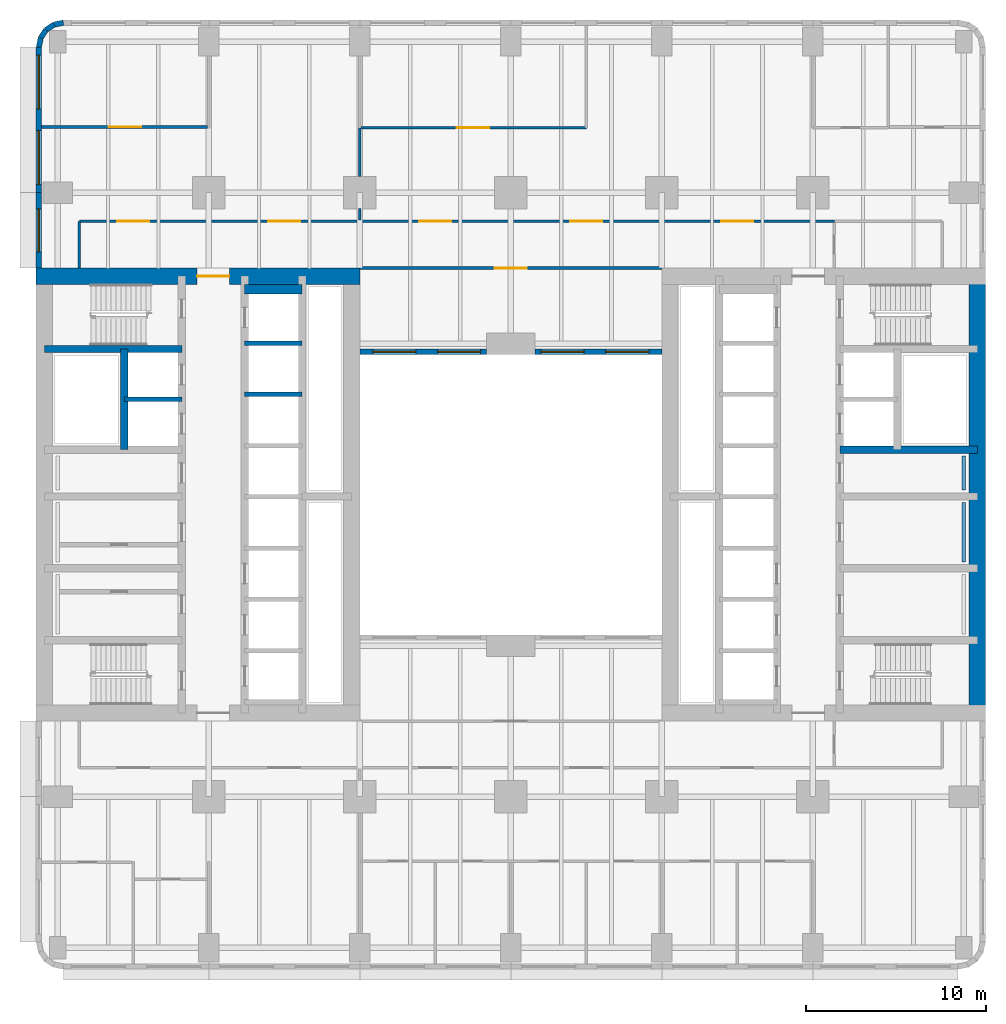
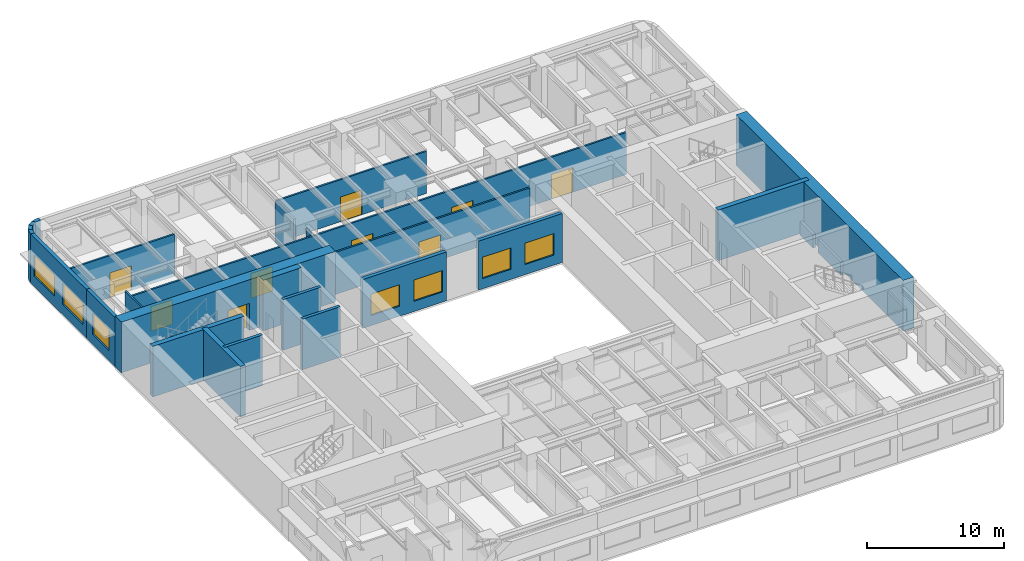
# One storey, part 6 of 12: 26 walls, 9 doors, 7 windows, 16 openings.
"""IFC4 building model written with IfcOpenShell, lengths in metres."""

import ifcopenshell
import ifcopenshell.guid

model = None  # the IFC model being written
_history = None  # IfcOwnerHistory: only IFC2X3 demands one
_inside = {}  # id of a spatial element -> (the spatial element, [elements in it])
_under = {}  # id of a project, library or spatial element -> (it, [spatial elements below it])
_declared = {}  # id of a project -> (the project, [libraries it declares])
_typed = {}  # id of a type object -> (the type object, [elements of that type])
_made_of = {}  # id of a material, layer set ... -> (it, [elements and type objects made of it])


def new_model(schema):
    """Start an empty IFC model of exactly this schema.

    Asked for "IFC4X3", IfcOpenShell would pick the latest addendum, in which some entities
    have other attributes; the version numbers below select the first issue.
    IFC2X3 requires an IfcOwnerHistory on every rooted entity: one is made here for all.
    """
    global model, _history
    if schema == "IFC4X3":
        model = ifcopenshell.file(schema_version=(4, 3, 0, 0))
    else:
        model = ifcopenshell.file(schema=schema)
    _inside.clear()
    _under.clear()
    _declared.clear()
    _typed.clear()
    _made_of.clear()
    _history = None
    if model.schema == "IFC2X3":
        org = make("IfcOrganization", Name="unknown")
        user = make(
            "IfcPersonAndOrganization",
            ThePerson=make("IfcPerson", FamilyName="unknown"),
            TheOrganization=org,
        )
        app = make(
            "IfcApplication",
            ApplicationDeveloper=org,
            Version="unknown",
            ApplicationFullName="unknown",
            ApplicationIdentifier="unknown",
        )
        _history = make(
            "IfcOwnerHistory",
            OwningUser=user,
            OwningApplication=app,
            ChangeAction="ADDED",
            CreationDate=0,
        )
    return model


def make(cls, **values):
    """One entity of the class cls with the attributes given. An attribute that is None is left unset."""
    return model.create_entity(
        cls, **{name: value for name, value in values.items() if value is not None}
    )


def rooted(cls, **values):
    """An entity with a GlobalId (a new one), such as an element, a storey or a relation."""
    return make(cls, GlobalId=ifcopenshell.guid.new(), OwnerHistory=_history, **values)


def si_unit(unit_type, name, prefix=None):
    """IfcSIUnit, for example si_unit("LENGTHUNIT", "METRE", prefix="MILLI")."""
    return make("IfcSIUnit", UnitType=unit_type, Prefix=prefix, Name=name)


def assignment(units):
    """IfcUnitAssignment: the units of a project."""
    return None if units is None else make("IfcUnitAssignment", Units=units)


def point(xyz):
    """IfcCartesianPoint."""
    return None if xyz is None else make("IfcCartesianPoint", Coordinates=xyz)


def direction(xyz):
    """IfcDirection."""
    return None if xyz is None else make("IfcDirection", DirectionRatios=xyz)


def frame(location, z_axis=None, x_axis=None):
    """IfcAxis2Placement3D, a coordinate frame: its origin and axes. An axis left out is left unset."""
    return make(
        "IfcAxis2Placement3D",
        Location=point(location),
        Axis=direction(z_axis),
        RefDirection=direction(x_axis),
    )


def frame_2d(location, x_axis=None):
    """IfcAxis2Placement2D, a coordinate frame in the plane: its origin and x axis."""
    return make(
        "IfcAxis2Placement2D", Location=point(location), RefDirection=direction(x_axis)
    )


def origin():
    """The frame at (0, 0, 0) with its axes left unset."""
    return frame((0.0, 0.0, 0.0))


def place(relative_to, where):
    """IfcLocalPlacement: puts the frame where relative to a parent placement (None: the world)."""
    return make(
        "IfcLocalPlacement", PlacementRelTo=relative_to, RelativePlacement=where
    )


def context(
    kind, dimensions, precision=None, world=None, true_north=None, identifier=None
):
    """IfcGeometricRepresentationContext, for example the 3D "Model" context."""
    return make(
        "IfcGeometricRepresentationContext",
        ContextIdentifier=identifier,
        ContextType=kind,
        CoordinateSpaceDimension=dimensions,
        Precision=precision,
        WorldCoordinateSystem=world,
        TrueNorth=true_north,
    )


def subcontext(parent, identifier, kind, view, scale=None):
    """IfcGeometricRepresentationSubContext, for example "Body" below "Model"."""
    return make(
        "IfcGeometricRepresentationSubContext",
        ContextIdentifier=identifier,
        ContextType=kind,
        ParentContext=parent,
        TargetScale=scale,
        TargetView=view,
    )


def project(units=None, contexts=None):
    """IfcProject with its units and contexts."""
    return rooted(
        "IfcProject",
        Name="project",
        RepresentationContexts=contexts,
        UnitsInContext=assignment(units),
    )


def spatial(cls, under=None, at=None, **own):
    """A site, building, storey or space (cls), placed at a placement, below another one or the project."""
    s = rooted(cls, ObjectPlacement=at, **own)
    if under is not None:
        _under.setdefault(under.id(), (under, []))[1].append(s)
    return s


def profile(cls, at=None, kind="AREA", **sizes):
    """A parametric profile (cls). Its sizes go by their IFC names, for example OverallWidth=200.0."""
    return make(cls, ProfileType=kind, Position=at, **sizes)


def rectangle(**sizes):
    """IfcRectangleProfileDef."""
    return profile("IfcRectangleProfileDef", **sizes)


def extrude(swept, where, along, depth):
    """IfcExtrudedAreaSolid: the profile swept, set in the frame where, extruded along a direction by depth."""
    return make(
        "IfcExtrudedAreaSolid",
        SweptArea=swept,
        Position=where,
        ExtrudedDirection=direction(along),
        Depth=depth,
    )


def shape(context_of_items, identifier, shape_type, items):
    """IfcShapeRepresentation: the items that make up one representation, for example the "Body"."""
    return make(
        "IfcShapeRepresentation",
        ContextOfItems=context_of_items,
        RepresentationIdentifier=identifier,
        RepresentationType=shape_type,
        Items=items,
    )


def material(Name=None, Category=None):
    """IfcMaterial."""
    return make("IfcMaterial", Name=Name, Category=Category)


def layer(
    of_material, thickness, ventilated=None, Name=None, Category=None, Priority=None
):
    """IfcMaterialLayer: one layer of a wall or slab, of a material (None: an air gap)."""
    return make(
        "IfcMaterialLayer",
        Material=of_material,
        LayerThickness=thickness,
        IsVentilated=ventilated,
        Name=Name,
        Category=Category,
        Priority=Priority,
    )


def layer_set(layers, Name=None):
    """IfcMaterialLayerSet."""
    return make("IfcMaterialLayerSet", MaterialLayers=layers, LayerSetName=Name)


def made_of(thing, what):
    """Note that an element or type object is made of a material, layer set ...; save() writes the relation."""
    if what is not None:
        _made_of.setdefault(what.id(), (what, []))[1].append(thing)
    return thing


def type_object(cls, material=None, **own):
    """A type object (cls), such as IfcWallType, which elements share."""
    return made_of(rooted(cls, **own), material)


def element(
    cls,
    number,
    at=None,
    inside=None,
    cuts=None,
    type_object=None,
    material=None,
    context=None,
    identifier="Body",
    shape_type=None,
    held_by="IfcProductDefinitionShape",
    body=None,
    shapes=None,
    **own,
):
    """One element of the class cls, such as IfcWall. Its Tag is "e" and its number.

    at: its placement. inside: the storey or other place that contains it. cuts: it is an
    opening in that element (IfcRelVoidsElement). A single representation is given by context,
    identifier, shape_type and body (its items); several are given by shapes. held_by: the class
    of the entity that holds the representations. save() writes the other relations.
    """
    e = rooted(cls, Tag="e%d" % number, ObjectPlacement=at, **own)
    if body is not None:
        shapes = [shape(context, identifier, shape_type, body)]
    if shapes is not None:
        e.Representation = make(held_by, Representations=shapes)
    if inside is not None:
        _inside.setdefault(inside.id(), (inside, []))[1].append(e)
    if cuts is not None:
        rooted(
            "IfcRelVoidsElement", RelatingBuildingElement=cuts, RelatedOpeningElement=e
        )
    if type_object is not None:
        _typed.setdefault(type_object.id(), (type_object, []))[1].append(e)
    return made_of(e, material)


def fill(opening, filler):
    """IfcRelFillsElement: the door or window that sits in an opening."""
    return rooted(
        "IfcRelFillsElement",
        RelatingOpeningElement=opening,
        RelatedBuildingElement=filler,
    )


def aggregate(whole, parts):
    """IfcRelAggregates: a whole, such as a stair, and the parts it consists of."""
    return rooted("IfcRelAggregates", RelatingObject=whole, RelatedObjects=parts)


def save(model, path):
    """Write the relations noted so far, then the file.

    IfcRelAggregates (storeys below a building ...), IfcRelContainedInSpatialStructure (elements
    in a storey), IfcRelDefinesByType, IfcRelAssociatesMaterial and IfcRelDeclares: one each for
    every whole, place, type object, material and project.
    """
    for whole, parts in _under.values():
        aggregate(whole, parts)
    for where, things in _inside.values():
        rooted(
            "IfcRelContainedInSpatialStructure",
            RelatedElements=things,
            RelatingStructure=where,
        )
    for kind, things in _typed.values():
        rooted("IfcRelDefinesByType", RelatedObjects=things, RelatingType=kind)
    for what, things in _made_of.values():
        rooted("IfcRelAssociatesMaterial", RelatedObjects=things, RelatingMaterial=what)
    for by, libraries in _declared.values():
        rooted("IfcRelDeclares", RelatingContext=by, RelatedDefinitions=libraries)
    model.write(path)


model = new_model("IFC4")

# Units and contexts
model_context = context("Model", 3, precision=1e-05, world=origin(), true_north=direction((0.0, 1.0)))
body_context = subcontext(model_context, "Body", "Model", "MODEL_VIEW")
ifc_project = project(units=[si_unit("LENGTHUNIT", "METRE"), si_unit("AREAUNIT", "SQUARE_METRE"), si_unit("VOLUMEUNIT", "CUBIC_METRE"), si_unit("PLANEANGLEUNIT", "RADIAN"), si_unit("MASSUNIT", "GRAM", prefix="KILO")], contexts=[model_context])

# Site, building, storey
site_placement = place(None, origin())
site = spatial("IfcSite", under=ifc_project, at=site_placement, CompositionType="ELEMENT")
building_placement = place(site_placement, origin())
building = spatial("IfcBuilding", under=site, at=building_placement, Name="Claustro Exchange Tower", CompositionType="ELEMENT")
storey_placement = place(building_placement, frame((0.0, 0.0, 68.39990234375)))
storey = spatial("IfcBuildingStorey", under=building, at=storey_placement, Name="L15", CompositionType="ELEMENT", Elevation=68.39990234375)

# Wall, opening, door
ifc_material_1 = material(Name="Gypsum board on steel studs", Category="steel")
ifc_layer_1 = layer(ifc_material_1, 0.14990234375)
ifc_layer_set_1 = layer_set([ifc_layer_1], Name="Gypsum board on steel studs")
wall_type_1 = type_object("IfcWallType", Name="P1 150 plasterboard partition", PredefinedType="PARTITIONING", material=ifc_layer_set_1)
wall_1_placement = place(storey_placement, frame((-0.902099609375, 45.64990234375, 0.0), z_axis=(0.0, 0.0, 1.0), x_axis=(1.0, 0.0, 0.0)))
wall_1 = element("IfcWall", 1, at=wall_1_placement, inside=storey, type_object=wall_type_1, Name="Partition P1 L15", PredefinedType="PARTITIONING", context=body_context, shape_type="SweptSolid", body=[
    extrude(rectangle(XDim=9.22802734375, YDim=0.14990234375, at=frame_2d((4.614013671875, 0.0))), origin(), (0.0, 0.0, 1.0), 3.739990234375),
])
opening_1_placement = place(wall_1_placement, frame((3.751953125, 0.0, 0.0)))
opening_1 = element("IfcOpeningElement", 2, at=opening_1_placement, cuts=wall_1, Name="Opening D2", PredefinedType="OPENING", context=body_context, shape_type="SweptSolid", body=[
    extrude(rectangle(XDim=1.800048828125, YDim=2.199951171875, at=frame_2d((0.89990234375, 1.10009765625))), frame((0.0, 0.0849609375, 0.0), z_axis=(0.0, -1.0, 0.0), x_axis=(1.0, 0.0, 0.0)), (0.0, 0.0, 1.0), 0.169921875),
])
ifc_material_2 = material(Name="Timber door, oak veneer", Category="wood")
door_type_1 = type_object("IfcDoorType", Name="D2 1800 x 2200 double door", OperationType="DOUBLE_DOOR_SINGLE_SWING", PredefinedType="DOOR", material=ifc_material_2)
door_1_placement = place(opening_1_placement, origin())
door_1 = element("IfcDoor", 3, at=door_1_placement, inside=storey, type_object=door_type_1, Name="Double door D2 L15", OperationType="DOUBLE_DOOR_SINGLE_SWING", OverallHeight=2.199951171875, OverallWidth=1.800048828125, PredefinedType="DOOR", context=body_context, shape_type="SweptSolid", body=[
    extrude(rectangle(XDim=1.800048828125, YDim=2.199951171875, at=frame_2d((0.89990234375, 1.10009765625))), frame((0.0, 0.02490234375, 0.0), z_axis=(0.0, -1.0, 0.0), x_axis=(1.0, 0.0, 0.0)), (0.0, 0.0, 1.0), 0.050048828125),
])
fill(opening_1, door_1)

wall_2_placement = place(storey_placement, frame((16.8740234375, 45.60009765625, 0.0), z_axis=(0.0, 0.0, 1.0), x_axis=(1.0, 0.0, 0.0)))
wall_2 = element("IfcWall", 4, at=wall_2_placement, inside=storey, type_object=wall_type_1, Name="Partition P1 L15", PredefinedType="PARTITIONING", context=body_context, shape_type="SweptSolid", body=[
    extrude(rectangle(XDim=12.52587890625, YDim=0.14990234375, at=frame_2d((6.262939453125, 0.0))), origin(), (0.0, 0.0, 1.0), 3.739990234375),
])
opening_2_placement = place(wall_2_placement, frame((5.325927734375, 0.0, 0.0)))
opening_2 = element("IfcOpeningElement", 5, at=opening_2_placement, cuts=wall_2, Name="Opening D2", PredefinedType="OPENING", context=body_context, shape_type="SweptSolid", body=[
    extrude(rectangle(XDim=1.800048828125, YDim=2.199951171875, at=frame_2d((0.89990234375, 1.10009765625))), frame((0.0, 0.0849609375, 0.0), z_axis=(0.0, -1.0, 0.0), x_axis=(1.0, 0.0, 0.0)), (0.0, 0.0, 1.0), 0.169921875),
])
door_2_placement = place(opening_2_placement, frame((1.800048828125, 0.0, 0.0), z_axis=(0.0, 0.0, 1.0), x_axis=(-1.0, 0.0, 0.0)))
door_2 = element("IfcDoor", 6, at=door_2_placement, inside=storey, type_object=door_type_1, Name="Double door D2 L15", OperationType="DOUBLE_DOOR_SINGLE_SWING", OverallHeight=2.199951171875, OverallWidth=1.800048828125, PredefinedType="DOOR", context=body_context, shape_type="SweptSolid", body=[
    extrude(rectangle(XDim=1.800048828125, YDim=2.199951171875, at=frame_2d((0.89990234375, 1.10009765625))), frame((0.0, 0.02490234375, 0.0), z_axis=(0.0, -1.0, 0.0), x_axis=(1.0, 0.0, 0.0)), (0.0, 0.0, 1.0), 0.050048828125),
])
fill(opening_2, door_2)

# Walls
wall_3_placement = place(storey_placement, frame((16.800048828125, 40.47412109375, 0.0), z_axis=(0.0, 0.0, 1.0), x_axis=(0.0, 1.0, 0.0)))
element("IfcWall", 7, at=wall_3_placement, inside=storey, type_object=wall_type_1, Name="Partition P1 L15", PredefinedType="PARTITIONING", context=body_context, shape_type="SweptSolid", body=[
    extrude(rectangle(XDim=0.626953125, YDim=0.14990234375, at=frame_2d((0.3134765625, 0.0))), origin(), (0.0, 0.0, 1.0), 3.97998046875),
])
wall_4_placement = place(storey_placement, frame((16.800048828125, 42.89892578125, 0.0), z_axis=(0.0, 0.0, 1.0), x_axis=(0.0, 1.0, 0.0)))
element("IfcWall", 8, at=wall_4_placement, inside=storey, type_object=wall_type_1, Name="Partition P1 L15", PredefinedType="PARTITIONING", context=body_context, shape_type="SweptSolid", body=[
    extrude(rectangle(XDim=2.703125, YDim=0.14990234375, at=frame_2d((1.3515625, 0.0))), origin(), (0.0, 0.0, 1.0), 3.739990234375),
])

# Wall, openings, doors
wall_5_placement = place(storey_placement, frame((1.199951171875, 40.39990234375, 0.0), z_axis=(0.0, 0.0, 1.0), x_axis=(1.0, 0.0, 0.0)))
wall_5 = element("IfcWall", 9, at=wall_5_placement, inside=storey, type_object=wall_type_1, Name="Partition P1 L15", PredefinedType="PARTITIONING", context=body_context, shape_type="SweptSolid", body=[
    extrude(rectangle(XDim=42.001953125, YDim=0.14990234375, at=frame_2d((21.0009765625, 0.0))), origin(), (0.0, 0.0, 1.0), 3.739990234375),
])
opening_3_placement = place(wall_5_placement, frame((2.10009765625, 0.0, 0.0)))
opening_3 = element("IfcOpeningElement", 10, at=opening_3_placement, cuts=wall_5, Name="Opening D2", PredefinedType="OPENING", context=body_context, shape_type="SweptSolid", body=[
    extrude(rectangle(XDim=1.800048828125, YDim=2.199951171875, at=frame_2d((0.89990234375, 1.10009765625))), frame((0.0, 0.0849609375, 0.0), z_axis=(0.0, -1.0, 0.0), x_axis=(1.0, 0.0, 0.0)), (0.0, 0.0, 1.0), 0.169921875),
])
opening_4_placement = place(wall_5_placement, frame((10.5, 0.0, 0.0)))
opening_4 = element("IfcOpeningElement", 11, at=opening_4_placement, cuts=wall_5, Name="Opening D2", PredefinedType="OPENING", context=body_context, shape_type="SweptSolid", body=[
    extrude(rectangle(XDim=1.800048828125, YDim=2.199951171875, at=frame_2d((0.89990234375, 1.10009765625))), frame((0.0, 0.0849609375, 0.0), z_axis=(0.0, -1.0, 0.0), x_axis=(1.0, 0.0, 0.0)), (0.0, 0.0, 1.0), 0.169921875),
])
opening_5_placement = place(wall_5_placement, frame((18.89990234375, 0.0, 0.0)))
opening_5 = element("IfcOpeningElement", 12, at=opening_5_placement, cuts=wall_5, Name="Opening D2", PredefinedType="OPENING", context=body_context, shape_type="SweptSolid", body=[
    extrude(rectangle(XDim=1.800048828125, YDim=2.199951171875, at=frame_2d((0.89990234375, 1.10009765625))), frame((0.0, 0.0849609375, 0.0), z_axis=(0.0, -1.0, 0.0), x_axis=(1.0, 0.0, 0.0)), (0.0, 0.0, 1.0), 0.169921875),
])
opening_6_placement = place(wall_5_placement, frame((27.300048828125, 0.0, 0.0)))
opening_6 = element("IfcOpeningElement", 13, at=opening_6_placement, cuts=wall_5, Name="Opening D2", PredefinedType="OPENING", context=body_context, shape_type="SweptSolid", body=[
    extrude(rectangle(XDim=1.800048828125, YDim=2.199951171875, at=frame_2d((0.89990234375, 1.10009765625))), frame((0.0, 0.0849609375, 0.0), z_axis=(0.0, -1.0, 0.0), x_axis=(1.0, 0.0, 0.0)), (0.0, 0.0, 1.0), 0.169921875),
])
opening_7_placement = place(wall_5_placement, frame((35.699951171875, 0.0, 0.0)))
opening_7 = element("IfcOpeningElement", 14, at=opening_7_placement, cuts=wall_5, Name="Opening D2", PredefinedType="OPENING", context=body_context, shape_type="SweptSolid", body=[
    extrude(rectangle(XDim=1.800048828125, YDim=2.199951171875, at=frame_2d((0.89990234375, 1.10009765625))), frame((0.0, 0.0849609375, 0.0), z_axis=(0.0, -1.0, 0.0), x_axis=(1.0, 0.0, 0.0)), (0.0, 0.0, 1.0), 0.169921875),
])
door_3_placement = place(opening_3_placement, origin())
door_3 = element("IfcDoor", 15, at=door_3_placement, inside=storey, type_object=door_type_1, Name="Double door D2 L15", OperationType="DOUBLE_DOOR_SINGLE_SWING", OverallHeight=2.199951171875, OverallWidth=1.800048828125, PredefinedType="DOOR", context=body_context, shape_type="SweptSolid", body=[
    extrude(rectangle(XDim=1.800048828125, YDim=2.199951171875, at=frame_2d((0.89990234375, 1.10009765625))), frame((0.0, 0.02490234375, 0.0), z_axis=(0.0, -1.0, 0.0), x_axis=(1.0, 0.0, 0.0)), (0.0, 0.0, 1.0), 0.050048828125),
])
fill(opening_3, door_3)
door_4_placement = place(opening_4_placement, origin())
door_4 = element("IfcDoor", 16, at=door_4_placement, inside=storey, type_object=door_type_1, Name="Double door D2 L15", OperationType="DOUBLE_DOOR_SINGLE_SWING", OverallHeight=2.199951171875, OverallWidth=1.800048828125, PredefinedType="DOOR", context=body_context, shape_type="SweptSolid", body=[
    extrude(rectangle(XDim=1.800048828125, YDim=2.199951171875, at=frame_2d((0.89990234375, 1.10009765625))), frame((0.0, 0.02490234375, 0.0), z_axis=(0.0, -1.0, 0.0), x_axis=(1.0, 0.0, 0.0)), (0.0, 0.0, 1.0), 0.050048828125),
])
fill(opening_4, door_4)
door_5_placement = place(opening_5_placement, origin())
door_5 = element("IfcDoor", 17, at=door_5_placement, inside=storey, type_object=door_type_1, Name="Double door D2 L15", OperationType="DOUBLE_DOOR_SINGLE_SWING", OverallHeight=2.199951171875, OverallWidth=1.800048828125, PredefinedType="DOOR", context=body_context, shape_type="SweptSolid", body=[
    extrude(rectangle(XDim=1.800048828125, YDim=2.199951171875, at=frame_2d((0.89990234375, 1.10009765625))), frame((0.0, 0.02490234375, 0.0), z_axis=(0.0, -1.0, 0.0), x_axis=(1.0, 0.0, 0.0)), (0.0, 0.0, 1.0), 0.050048828125),
])
fill(opening_5, door_5)
door_6_placement = place(opening_6_placement, origin())
door_6 = element("IfcDoor", 18, at=door_6_placement, inside=storey, type_object=door_type_1, Name="Double door D2 L15", OperationType="DOUBLE_DOOR_SINGLE_SWING", OverallHeight=2.199951171875, OverallWidth=1.800048828125, PredefinedType="DOOR", context=body_context, shape_type="SweptSolid", body=[
    extrude(rectangle(XDim=1.800048828125, YDim=2.199951171875, at=frame_2d((0.89990234375, 1.10009765625))), frame((0.0, 0.02490234375, 0.0), z_axis=(0.0, -1.0, 0.0), x_axis=(1.0, 0.0, 0.0)), (0.0, 0.0, 1.0), 0.050048828125),
])
fill(opening_6, door_6)
door_7_placement = place(opening_7_placement, origin())
door_7 = element("IfcDoor", 19, at=door_7_placement, inside=storey, type_object=door_type_1, Name="Double door D2 L15", OperationType="DOUBLE_DOOR_SINGLE_SWING", OverallHeight=2.199951171875, OverallWidth=1.800048828125, PredefinedType="DOOR", context=body_context, shape_type="SweptSolid", body=[
    extrude(rectangle(XDim=1.800048828125, YDim=2.199951171875, at=frame_2d((0.89990234375, 1.10009765625))), frame((0.0, 0.02490234375, 0.0), z_axis=(0.0, -1.0, 0.0), x_axis=(1.0, 0.0, 0.0)), (0.0, 0.0, 1.0), 0.050048828125),
])
fill(opening_7, door_7)

# Wall
wall_6_placement = place(storey_placement, frame((1.199951171875, 37.800048828125, 0.0), z_axis=(0.0, 0.0, 1.0), x_axis=(0.0, 1.0, 0.0)))
element("IfcWall", 20, at=wall_6_placement, inside=storey, type_object=wall_type_1, Name="Partition P1 L15", PredefinedType="PARTITIONING", context=body_context, shape_type="SweptSolid", body=[
    extrude(rectangle(XDim=2.599853515625, YDim=0.14990234375, at=frame_2d((1.2998046875, 0.0))), origin(), (0.0, 0.0, 1.0), 4.340087890625),
])

# Wall, opening, door
wall_7_placement = place(storey_placement, frame((16.798095703125, 37.800048828125, 0.0), z_axis=(0.0, 0.0, 1.0), x_axis=(1.0, 0.0, 0.0)))
wall_7 = element("IfcWall", 21, at=wall_7_placement, inside=storey, type_object=wall_type_1, Name="Partition P1 L15", PredefinedType="PARTITIONING", context=body_context, shape_type="SweptSolid", body=[
    extrude(rectangle(XDim=16.803955078125, YDim=0.14990234375, at=frame_2d((8.40185546875, 0.0))), origin(), (0.0, 0.0, 1.0), 3.739990234375),
])
opening_8_placement = place(wall_7_placement, frame((7.501953125, 0.0, 0.0)))
opening_8 = element("IfcOpeningElement", 22, at=opening_8_placement, cuts=wall_7, Name="Opening D2", PredefinedType="OPENING", context=body_context, shape_type="SweptSolid", body=[
    extrude(rectangle(XDim=1.800048828125, YDim=2.199951171875, at=frame_2d((0.89990234375, 1.10009765625))), frame((0.0, 0.0849609375, 0.0), z_axis=(0.0, -1.0, 0.0), x_axis=(1.0, 0.0, 0.0)), (0.0, 0.0, 1.0), 0.169921875),
])
door_8_placement = place(opening_8_placement, origin())
door_8 = element("IfcDoor", 23, at=door_8_placement, inside=storey, type_object=door_type_1, Name="Double door D2 L15", OperationType="DOUBLE_DOOR_SINGLE_SWING", OverallHeight=2.199951171875, OverallWidth=1.800048828125, PredefinedType="DOOR", context=body_context, shape_type="SweptSolid", body=[
    extrude(rectangle(XDim=1.800048828125, YDim=2.199951171875, at=frame_2d((0.89990234375, 1.10009765625))), frame((0.0, 0.02490234375, 0.0), z_axis=(0.0, -1.0, 0.0), x_axis=(1.0, 0.0, 0.0)), (0.0, 0.0, 1.0), 0.050048828125),
])
fill(opening_8, door_8)

# Wall, opening, window
ifc_material_3 = material(Name="Concrete HA-40 (C40/50), precast, white cement, acid-etched", Category="concrete")
ifc_layer_2 = layer(ifc_material_3, 0.300048828125)
ifc_layer_set_2 = layer_set([ifc_layer_2], Name="Concrete HA-40 (C40/50), precast, white cement, acid-etched")
wall_type_2 = type_object("IfcWallType", Name="PC1 300 precast concrete pier panel", PredefinedType="SOLIDWALL", material=ifc_layer_set_2)
wall_8_placement = place(storey_placement, frame((-1.050048828125, 37.800048828125, 0.0), z_axis=(0.0, 0.0, 1.0), x_axis=(0.0, 1.0, 0.0)))
wall_8 = element("IfcWall", 24, at=wall_8_placement, inside=storey, type_object=wall_type_2, Name="Precast pier panel PC1 L15", PredefinedType="SOLIDWALL", context=body_context, shape_type="SweptSolid", body=[
    extrude(rectangle(XDim=4.199951171875, YDim=0.300048828125, at=frame_2d((2.10009765625, 0.0))), origin(), (0.0, 0.0, 1.0), 4.340087890625),
])
opening_9_placement = place(wall_8_placement, frame((0.89990234375, 0.0, 0.89990234375)))
opening_9 = element("IfcOpeningElement", 25, at=opening_9_placement, cuts=wall_8, Name="Opening W2", PredefinedType="OPENING", context=body_context, shape_type="SweptSolid", body=[
    extrude(rectangle(XDim=2.39990234375, YDim=1.89990234375, at=frame_2d((1.199951171875, 0.949951171875))), frame((0.0, 0.159912109375, 0.0), z_axis=(0.0, -1.0, 0.0), x_axis=(1.0, 0.0, 0.0)), (0.0, 0.0, 1.0), 0.320068359375),
])
ifc_material_4 = material(Name="Aluminium frame, clear double glazing", Category="aluminium")
window_type_1 = type_object("IfcWindowType", Name="W2 2400 x 1900 window", PartitioningType="SINGLE_PANEL", PredefinedType="WINDOW", material=ifc_material_4)
window_1_placement = place(opening_9_placement, origin())
window_1 = element("IfcWindow", 26, at=window_1_placement, inside=storey, type_object=window_type_1, Name="Window W2 L15", OverallHeight=1.89990234375, OverallWidth=2.39990234375, PartitioningType="SINGLE_PANEL", PredefinedType="WINDOW", context=body_context, shape_type="SweptSolid", body=[
    extrude(rectangle(XDim=2.39990234375, YDim=1.89990234375, at=frame_2d((1.199951171875, 0.949951171875))), frame((0.0, 0.030029296875, 0.0), z_axis=(0.0, -1.0, 0.0), x_axis=(1.0, 0.0, 0.0)), (0.0, 0.0, 1.0), 0.06005859375),
])
fill(opening_9, window_1)

# Wall, openings, windows
wall_9_placement = place(storey_placement, frame((-1.050048828125, 42.0, 0.0), z_axis=(0.0, 0.0, 1.0), x_axis=(0.0, 1.0, 0.0)))
wall_9 = element("IfcWall", 27, at=wall_9_placement, inside=storey, type_object=wall_type_2, Name="Precast pier panel PC1 L15", PredefinedType="SOLIDWALL", context=body_context, shape_type="SweptSolid", body=[
    extrude(rectangle(XDim=8.085205078125, YDim=0.300048828125, at=frame_2d((4.04248046875, 0.0))), origin(), (0.0, 0.0, 1.0), 4.340087890625),
])
opening_10_placement = place(wall_9_placement, frame((0.442626953125, 0.0, 0.89990234375)))
opening_10 = element("IfcOpeningElement", 28, at=opening_10_placement, cuts=wall_9, Name="Opening W1", PredefinedType="OPENING", context=body_context, shape_type="SweptSolid", body=[
    extrude(rectangle(XDim=3.0, YDim=1.89990234375, at=frame_2d((1.5, 0.949951171875))), frame((0.0, 0.159912109375, 0.0), z_axis=(0.0, -1.0, 0.0), x_axis=(1.0, 0.0, 0.0)), (0.0, 0.0, 1.0), 0.320068359375),
])
opening_11_placement = place(wall_9_placement, frame((4.642578125, 0.0, 0.89990234375)))
opening_11 = element("IfcOpeningElement", 29, at=opening_11_placement, cuts=wall_9, Name="Opening W1", PredefinedType="OPENING", context=body_context, shape_type="SweptSolid", body=[
    extrude(rectangle(XDim=3.0, YDim=1.89990234375, at=frame_2d((1.5, 0.949951171875))), frame((0.0, 0.159912109375, 0.0), z_axis=(0.0, -1.0, 0.0), x_axis=(1.0, 0.0, 0.0)), (0.0, 0.0, 1.0), 0.320068359375),
])
ifc_material_5 = material(Name="Aluminium frame, clear double glazing", Category="aluminium")
window_type_2 = type_object("IfcWindowType", Name="W1 3000 x 1900 window", PartitioningType="SINGLE_PANEL", PredefinedType="WINDOW", material=ifc_material_5)
window_2_placement = place(opening_10_placement, origin())
window_2 = element("IfcWindow", 30, at=window_2_placement, inside=storey, type_object=window_type_2, Name="Window W1 L15", OverallHeight=1.89990234375, OverallWidth=3.0, PartitioningType="SINGLE_PANEL", PredefinedType="WINDOW", context=body_context, shape_type="SweptSolid", body=[
    extrude(rectangle(XDim=3.0, YDim=1.89990234375, at=frame_2d((1.5, 0.949951171875))), frame((0.0, 0.030029296875, 0.0), z_axis=(0.0, -1.0, 0.0), x_axis=(1.0, 0.0, 0.0)), (0.0, 0.0, 1.0), 0.06005859375),
])
fill(opening_10, window_2)
window_3_placement = place(opening_11_placement, origin())
window_3 = element("IfcWindow", 31, at=window_3_placement, inside=storey, type_object=window_type_2, Name="Window W1 L15", OverallHeight=1.89990234375, OverallWidth=3.0, PartitioningType="SINGLE_PANEL", PredefinedType="WINDOW", context=body_context, shape_type="SweptSolid", body=[
    extrude(rectangle(XDim=3.0, YDim=1.89990234375, at=frame_2d((1.5, 0.949951171875))), frame((0.0, 0.030029296875, 0.0), z_axis=(0.0, -1.0, 0.0), x_axis=(1.0, 0.0, 0.0)), (0.0, 0.0, 1.0), 0.06005859375),
])
fill(opening_11, window_3)

# Walls
wall_10_placement = place(storey_placement, frame((-1.050048828125, 50.085205078125, 0.0), z_axis=(0.0, 0.0, 1.0), x_axis=(0.195073962632, 0.980788534345, 0.0)))
element("IfcWall", 32, at=wall_10_placement, inside=storey, type_object=wall_type_2, Name="Precast pier panel PC1 L15", PredefinedType="SOLIDWALL", context=body_context, shape_type="SweptSolid", body=[
    extrude(rectangle(XDim=0.540771484375, YDim=0.300048828125, at=frame_2d((0.2705078125, 0.0))), origin(), (0.0, 0.0, 1.0), 4.340087890625),
])
for number, where, z_axis, x_axis, name in (
    (33, (-0.944580078125, 50.615478515625, 0.0), (0.0, 0.0, 1.0), (0.555557463938, 0.831478144188, 0.0), "Precast pier panel PC1 L15"),
    (34, (-0.652587890625, 51.052490234375, 0.0), (0.0, 0.0, 1.0), (0.831478144188, 0.555557463938, 0.0), "Precast pier panel PC1 L15"),
):
    element("IfcWall", number, at=place(storey_placement, frame(where, z_axis=z_axis, x_axis=x_axis)), inside=storey, type_object=wall_type_2, Name=name, PredefinedType="SOLIDWALL", context=body_context, shape_type="SweptSolid", body=[
        extrude(rectangle(XDim=0.525634765625, YDim=0.300048828125, at=frame_2d((0.2626953125, 0.0))), origin(), (0.0, 0.0, 1.0), 4.340087890625),
    ])
wall_11_placement = place(storey_placement, frame((-0.215576171875, 51.344482421875, 0.0), z_axis=(0.0, 0.0, 1.0), x_axis=(0.980788534345, 0.195073962632, 0.0)))
element("IfcWall", 35, at=wall_11_placement, inside=storey, type_object=wall_type_2, Name="Precast pier panel PC1 L15", PredefinedType="SOLIDWALL", context=body_context, shape_type="SweptSolid", body=[
    extrude(rectangle(XDim=0.540771484375, YDim=0.300048828125, at=frame_2d((0.2705078125, 0.0))), origin(), (0.0, 0.0, 1.0), 4.340087890625),
])

# Wall, openings, windows
wall_12_placement = place(storey_placement, frame((16.800048828125, 33.14990234375, 0.0), z_axis=(0.0, 0.0, 1.0), x_axis=(1.0, 0.0, 0.0)))
wall_12 = element("IfcWall", 36, at=wall_12_placement, inside=storey, type_object=wall_type_2, Name="Precast pier panel PC1 L15", PredefinedType="SOLIDWALL", context=body_context, shape_type="SweptSolid", body=[
    extrude(rectangle(XDim=7.050048828125, YDim=0.300048828125, at=frame_2d((3.52490234375, 0.0))), origin(), (0.0, 0.0, 1.0), 4.340087890625),
])
opening_12_placement = place(wall_12_placement, frame((0.72509765625, 0.0, 0.89990234375)))
opening_12 = element("IfcOpeningElement", 37, at=opening_12_placement, cuts=wall_12, Name="Opening W2", PredefinedType="OPENING", context=body_context, shape_type="SweptSolid", body=[
    extrude(rectangle(XDim=2.39990234375, YDim=1.89990234375, at=frame_2d((1.199951171875, 0.949951171875))), frame((0.0, 0.159912109375, 0.0), z_axis=(0.0, -1.0, 0.0), x_axis=(1.0, 0.0, 0.0)), (0.0, 0.0, 1.0), 0.320068359375),
])
opening_13_placement = place(wall_12_placement, frame((4.324951171875, 0.0, 0.89990234375)))
opening_13 = element("IfcOpeningElement", 38, at=opening_13_placement, cuts=wall_12, Name="Opening W2", PredefinedType="OPENING", context=body_context, shape_type="SweptSolid", body=[
    extrude(rectangle(XDim=2.39990234375, YDim=1.89990234375, at=frame_2d((1.199951171875, 0.949951171875))), frame((0.0, 0.159912109375, 0.0), z_axis=(0.0, -1.0, 0.0), x_axis=(1.0, 0.0, 0.0)), (0.0, 0.0, 1.0), 0.320068359375),
])
window_4_placement = place(opening_12_placement, origin())
window_4 = element("IfcWindow", 39, at=window_4_placement, inside=storey, type_object=window_type_1, Name="Window W2 L15", OverallHeight=1.89990234375, OverallWidth=2.39990234375, PartitioningType="SINGLE_PANEL", PredefinedType="WINDOW", context=body_context, shape_type="SweptSolid", body=[
    extrude(rectangle(XDim=2.39990234375, YDim=1.89990234375, at=frame_2d((1.199951171875, 0.949951171875))), frame((0.0, 0.030029296875, 0.0), z_axis=(0.0, -1.0, 0.0), x_axis=(1.0, 0.0, 0.0)), (0.0, 0.0, 1.0), 0.06005859375),
])
fill(opening_12, window_4)
window_5_placement = place(opening_13_placement, origin())
window_5 = element("IfcWindow", 40, at=window_5_placement, inside=storey, type_object=window_type_1, Name="Window W2 L15", OverallHeight=1.89990234375, OverallWidth=2.39990234375, PartitioningType="SINGLE_PANEL", PredefinedType="WINDOW", context=body_context, shape_type="SweptSolid", body=[
    extrude(rectangle(XDim=2.39990234375, YDim=1.89990234375, at=frame_2d((1.199951171875, 0.949951171875))), frame((0.0, 0.030029296875, 0.0), z_axis=(0.0, -1.0, 0.0), x_axis=(1.0, 0.0, 0.0)), (0.0, 0.0, 1.0), 0.06005859375),
])
fill(opening_13, window_5)

wall_13_placement = place(storey_placement, frame((26.550048828125, 33.14990234375, 0.0), z_axis=(0.0, 0.0, 1.0), x_axis=(1.0, 0.0, 0.0)))
wall_13 = element("IfcWall", 41, at=wall_13_placement, inside=storey, type_object=wall_type_2, Name="Precast pier panel PC1 L15", PredefinedType="SOLIDWALL", context=body_context, shape_type="SweptSolid", body=[
    extrude(rectangle(XDim=7.050048828125, YDim=0.300048828125, at=frame_2d((3.52490234375, 0.0))), origin(), (0.0, 0.0, 1.0), 4.340087890625),
])
opening_14_placement = place(wall_13_placement, frame((0.324951171875, 0.0, 0.89990234375)))
opening_14 = element("IfcOpeningElement", 42, at=opening_14_placement, cuts=wall_13, Name="Opening W2", PredefinedType="OPENING", context=body_context, shape_type="SweptSolid", body=[
    extrude(rectangle(XDim=2.39990234375, YDim=1.89990234375, at=frame_2d((1.199951171875, 0.949951171875))), frame((0.0, 0.159912109375, 0.0), z_axis=(0.0, -1.0, 0.0), x_axis=(1.0, 0.0, 0.0)), (0.0, 0.0, 1.0), 0.320068359375),
])
opening_15_placement = place(wall_13_placement, frame((3.925048828125, 0.0, 0.89990234375)))
opening_15 = element("IfcOpeningElement", 43, at=opening_15_placement, cuts=wall_13, Name="Opening W2", PredefinedType="OPENING", context=body_context, shape_type="SweptSolid", body=[
    extrude(rectangle(XDim=2.39990234375, YDim=1.89990234375, at=frame_2d((1.199951171875, 0.949951171875))), frame((0.0, 0.159912109375, 0.0), z_axis=(0.0, -1.0, 0.0), x_axis=(1.0, 0.0, 0.0)), (0.0, 0.0, 1.0), 0.320068359375),
])
window_6_placement = place(opening_14_placement, origin())
window_6 = element("IfcWindow", 44, at=window_6_placement, inside=storey, type_object=window_type_1, Name="Window W2 L15", OverallHeight=1.89990234375, OverallWidth=2.39990234375, PartitioningType="SINGLE_PANEL", PredefinedType="WINDOW", context=body_context, shape_type="SweptSolid", body=[
    extrude(rectangle(XDim=2.39990234375, YDim=1.89990234375, at=frame_2d((1.199951171875, 0.949951171875))), frame((0.0, 0.030029296875, 0.0), z_axis=(0.0, -1.0, 0.0), x_axis=(1.0, 0.0, 0.0)), (0.0, 0.0, 1.0), 0.06005859375),
])
fill(opening_14, window_6)
window_7_placement = place(opening_15_placement, origin())
window_7 = element("IfcWindow", 45, at=window_7_placement, inside=storey, type_object=window_type_1, Name="Window W2 L15", OverallHeight=1.89990234375, OverallWidth=2.39990234375, PartitioningType="SINGLE_PANEL", PredefinedType="WINDOW", context=body_context, shape_type="SweptSolid", body=[
    extrude(rectangle(XDim=2.39990234375, YDim=1.89990234375, at=frame_2d((1.199951171875, 0.949951171875))), frame((0.0, 0.030029296875, 0.0), z_axis=(0.0, -1.0, 0.0), x_axis=(1.0, 0.0, 0.0)), (0.0, 0.0, 1.0), 0.06005859375),
])
fill(opening_15, window_7)

# Walls
ifc_material_6 = material(Name="Gypsum board on steel studs, tiled", Category="steel")
ifc_layer_3 = layer(ifc_material_6, 0.199951171875)
ifc_layer_set_3 = layer_set([ifc_layer_3], Name="Gypsum board on steel studs, tiled")
wall_type_3 = type_object("IfcWallType", Name="PW1 200 WC duct wall", PredefinedType="PLUMBINGWALL", material=ifc_layer_set_3)
wall_14_placement = place(storey_placement, frame((50.39990234375, 21.449951171875, 0.0), z_axis=(0.0, 0.0, 1.0), x_axis=(0.0, 1.0, 0.0)))
element("IfcWall", 46, at=wall_14_placement, inside=storey, type_object=wall_type_3, Name="WC duct wall PW1 L15", PredefinedType="PLUMBINGWALL", context=body_context, shape_type="SweptSolid", body=[
    extrude(rectangle(XDim=3.300048828125, YDim=0.199951171875, at=frame_2d((1.64990234375, 0.0))), origin(), (0.0, 0.0, 1.0), 1.2001953125),
])
wall_15_placement = place(storey_placement, frame((50.39990234375, 25.449951171875, 0.0), z_axis=(0.0, 0.0, 1.0), x_axis=(0.0, 1.0, 0.0)))
element("IfcWall", 47, at=wall_15_placement, inside=storey, type_object=wall_type_3, Name="WC duct wall PW1 L15", PredefinedType="PLUMBINGWALL", context=body_context, shape_type="SweptSolid", body=[
    extrude(rectangle(XDim=1.900146484375, YDim=0.199951171875, at=frame_2d((0.9501953125, 0.0))), origin(), (0.0, 0.0, 1.0), 1.2001953125),
])

# Wall, opening, door
ifc_material_7 = material(Name="Concrete HA-70 (C70/85)", Category="concrete")
ifc_layer_4 = layer(ifc_material_7, 0.89990234375)
ifc_layer_set_4 = layer_set([ifc_layer_4], Name="Concrete HA-70 (C70/85)")
wall_type_4 = type_object("IfcWallType", Name="SW1 900 core shear wall", PredefinedType="SHEAR", material=ifc_layer_set_4)
wall_16_placement = place(storey_placement, frame((-1.199951171875, 37.35009765625, 0.0), z_axis=(0.0, 0.0, 1.0), x_axis=(1.0, 0.0, 0.0)))
wall_16 = element("IfcWall", 48, at=wall_16_placement, inside=storey, type_object=wall_type_4, Name="Core wall SW1 W core N face L15", PredefinedType="SHEAR", context=body_context, shape_type="SweptSolid", body=[
    extrude(rectangle(XDim=18.0, YDim=0.89990234375, at=frame_2d((9.0, 0.0))), origin(), (0.0, 0.0, 1.0), 4.5),
])
opening_16_placement = place(wall_16_placement, frame((8.949951171875, 0.0, 0.0)))
opening_16 = element("IfcOpeningElement", 49, at=opening_16_placement, cuts=wall_16, Name="Opening D3", PredefinedType="OPENING", context=body_context, shape_type="SweptSolid", body=[
    extrude(rectangle(XDim=1.800048828125, YDim=2.39990234375, at=frame_2d((0.89990234375, 1.199951171875))), frame((0.0, 0.4599609375, 0.0), z_axis=(0.0, -1.0, 0.0), x_axis=(1.0, 0.0, 0.0)), (0.0, 0.0, 1.0), 0.919921875),
])
ifc_material_8 = material(Name="Steel fire door, painted", Category="steel")
door_type_2 = type_object("IfcDoorType", Name="D3 1800 x 2400 fire-rated lobby double door", OperationType="DOUBLE_DOOR_SINGLE_SWING", PredefinedType="DOOR", material=ifc_material_8)
door_9_placement = place(opening_16_placement, frame((1.800048828125, 0.0, 0.0), z_axis=(0.0, 0.0, 1.0), x_axis=(-1.0, 0.0, 0.0)))
door_9 = element("IfcDoor", 50, at=door_9_placement, inside=storey, type_object=door_type_2, Name="Lift lobby door D3 L15", OperationType="DOUBLE_DOOR_SINGLE_SWING", OverallHeight=2.39990234375, OverallWidth=1.800048828125, PredefinedType="DOOR", context=body_context, shape_type="SweptSolid", body=[
    extrude(rectangle(XDim=1.800048828125, YDim=2.39990234375, at=frame_2d((0.89990234375, 1.199951171875))), frame((0.0, 0.02490234375, 0.0), z_axis=(0.0, -1.0, 0.0), x_axis=(1.0, 0.0, 0.0)), (0.0, 0.0, 1.0), 0.050048828125),
])
fill(opening_16, door_9)

# Walls
ifc_material_9 = material(Name="Concrete HA-70 (C70/85)", Category="concrete")
ifc_layer_5 = layer(ifc_material_9, 0.89990234375)
ifc_layer_set_5 = layer_set([ifc_layer_5], Name="Concrete HA-70 (C70/85)")
wall_type_5 = type_object("IfcWallType", Name="SW1X 900 exposed core shear wall, board-marked face", PredefinedType="SHEAR", material=ifc_layer_set_5)
wall_17_placement = place(storey_placement, frame((51.14990234375, 13.050048828125, 0.0), z_axis=(0.0, 0.0, 1.0), x_axis=(0.0, 1.0, 0.0)))
element("IfcWall", 51, at=wall_17_placement, inside=storey, type_object=wall_type_5, Name="Core wall SW1X E core E face L15", PredefinedType="SHEAR", context=body_context, shape_type="SweptSolid", body=[
    extrude(rectangle(XDim=24.300048828125, YDim=0.89990234375, at=frame_2d((12.14990234375, 0.0))), origin(), (0.0, 0.0, 1.0), 4.5),
])
ifc_material_10 = material(Name="Concrete HA-50 (C50/60)", Category="concrete")
ifc_layer_6 = layer(ifc_material_10, 0.39990234375)
ifc_layer_set_6 = layer_set([ifc_layer_6], Name="Concrete HA-50 (C50/60)")
wall_type_6 = type_object("IfcWallType", Name="SW4 400 internal core wall", PredefinedType="SHEAR", material=ifc_layer_set_6)
wall_18_placement = place(storey_placement, frame((-0.75, 33.300048828125, 0.0), z_axis=(0.0, 0.0, 1.0), x_axis=(1.0, 0.0, 0.0)))
element("IfcWall", 52, at=wall_18_placement, inside=storey, type_object=wall_type_6, Name="Internal core wall SW4 W core L15", PredefinedType="SHEAR", context=body_context, shape_type="SweptSolid", body=[
    extrude(rectangle(XDim=7.64990234375, YDim=0.39990234375, at=frame_2d((3.824951171875, 0.0))), origin(), (0.0, 0.0, 1.0), 4.5),
])
wall_19_placement = place(storey_placement, frame((3.699951171875, 27.699951171875, 0.0), z_axis=(0.0, 0.0, 1.0), x_axis=(0.0, 1.0, 0.0)))
element("IfcWall", 53, at=wall_19_placement, inside=storey, type_object=wall_type_6, Name="Internal core wall SW4 W core L15", PredefinedType="SHEAR", context=body_context, shape_type="SweptSolid", body=[
    extrude(rectangle(XDim=5.60009765625, YDim=0.39990234375, at=frame_2d((2.800048828125, 0.0))), origin(), (0.0, 0.0, 1.0), 4.5),
])
wall_20_placement = place(storey_placement, frame((51.14990234375, 27.699951171875, 0.0), z_axis=(0.0, 0.0, 1.0), x_axis=(-1.0, 0.0, 0.0)))
element("IfcWall", 54, at=wall_20_placement, inside=storey, type_object=wall_type_6, Name="Internal core wall SW4 E core L15", PredefinedType="SHEAR", context=body_context, shape_type="SweptSolid", body=[
    extrude(rectangle(XDim=7.64990234375, YDim=0.39990234375, at=frame_2d((3.824951171875, 0.0))), origin(), (0.0, 0.0, 1.0), 4.5),
])
ifc_material_11 = material(Name="Concrete HA-50 (C50/60)", Category="concrete")
ifc_layer_7 = layer(ifc_material_11, 0.25)
ifc_layer_set_7 = layer_set([ifc_layer_7], Name="Concrete HA-50 (C50/60)")
wall_type_7 = type_object("IfcWallType", Name="SW5 250 lift shaft divider wall", PredefinedType="SHEAR", material=ifc_layer_set_7)
wall_21_placement = place(storey_placement, frame((3.699951171875, 30.5, 0.0), z_axis=(0.0, 0.0, 1.0), x_axis=(1.0, 0.0, 0.0)))
element("IfcWall", 55, at=wall_21_placement, inside=storey, type_object=wall_type_7, Name="Lift shaft wall W core L15", PredefinedType="SHEAR", context=body_context, shape_type="SweptSolid", body=[
    extrude(rectangle(XDim=3.199951171875, YDim=0.25, at=frame_2d((1.60009765625, 0.0))), origin(), (0.0, 0.0, 1.0), 4.5),
])
for number, where, z_axis, x_axis, name in (
    (56, (10.39990234375, 30.77490234375, 0.0), (0.0, 0.0, 1.0), (1.0, 0.0, 0.0), "Lift shaft wall W core L15"),
    (57, (10.39990234375, 33.625, 0.0), (0.0, 0.0, 1.0), (1.0, 0.0, 0.0), "Lift shaft wall W core L15"),
):
    element("IfcWall", number, at=place(storey_placement, frame(where, z_axis=z_axis, x_axis=x_axis)), inside=storey, type_object=wall_type_7, Name=name, PredefinedType="SHEAR", context=body_context, shape_type="SweptSolid", body=[
        extrude(rectangle(XDim=3.2001953125, YDim=0.25, at=frame_2d((1.60009765625, 0.0))), origin(), (0.0, 0.0, 1.0), 4.5),
    ])
ifc_material_12 = material(Name="Concrete HA-50 (C50/60)", Category="concrete")
ifc_layer_8 = layer(ifc_material_12, 0.550048828125)
ifc_layer_set_8 = layer_set([ifc_layer_8], Name="Concrete HA-50 (C50/60)")
wall_type_8 = type_object("IfcWallType", Name="SW6 550 lift shaft end wall", PredefinedType="SHEAR", material=ifc_layer_set_8)
wall_22_placement = place(storey_placement, frame((10.39990234375, 36.625, 0.0), z_axis=(0.0, 0.0, 1.0), x_axis=(1.0, 0.0, 0.0)))
element("IfcWall", 58, at=wall_22_placement, inside=storey, type_object=wall_type_8, Name="Lift shaft wall W core L15", PredefinedType="SHEAR", context=body_context, shape_type="SweptSolid", body=[
    extrude(rectangle(XDim=3.2001953125, YDim=0.550048828125, at=frame_2d((1.60009765625, 0.0))), origin(), (0.0, 0.0, 1.0), 4.5),
])

save(model, "model.ifc")
